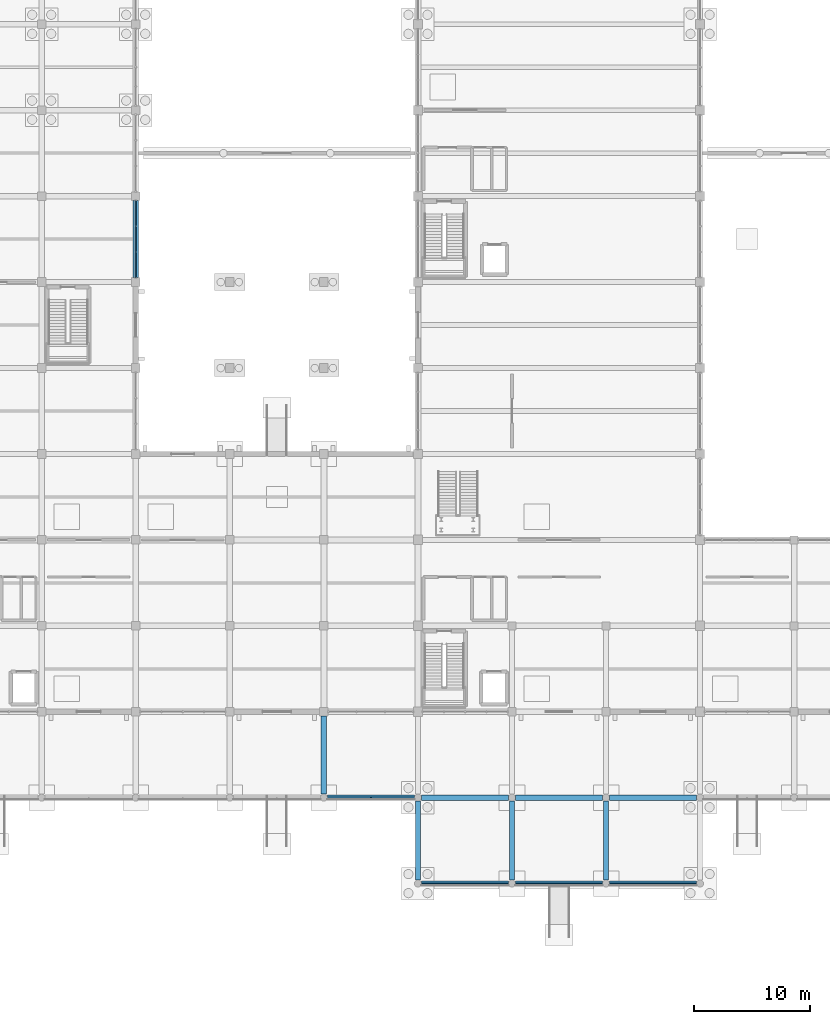
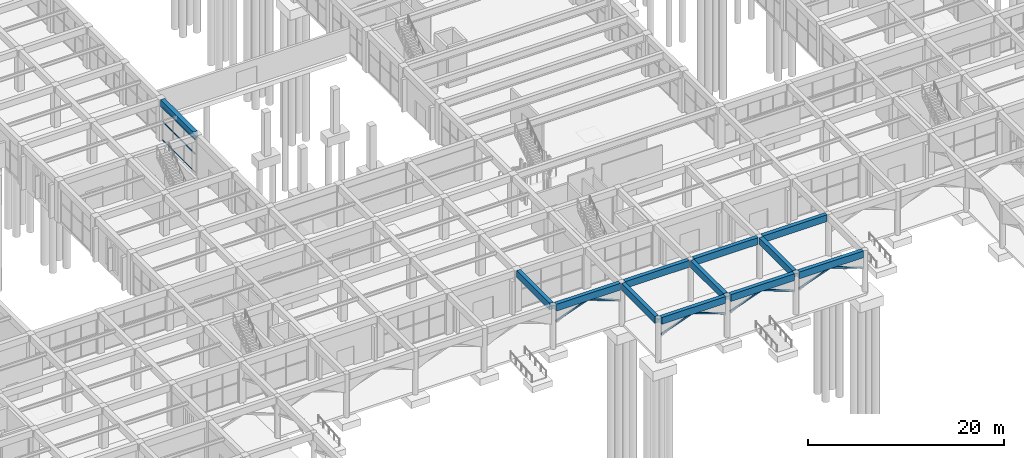
# One storey, part 27 of 140: 12 beams, 11 members, 1 element without a shape of its own.
"""IFC4 building model written with IfcOpenShell, lengths in metres."""

from ifc_helpers import new_model, si_unit, direction, frame, origin, origin_2d, place, context, subcontext, project, spatial, rectangle, hollow_rectangle, extrude, material, material_profile, profile_set, type_object, element, aggregate, save


model = new_model("IFC4")

# Units and contexts
model_context = context("Model", 3, precision=1e-05, world=origin(), true_north=direction((0.0, 1.0)))
body_context = subcontext(model_context, "Body", "Model", "MODEL_VIEW")
ifc_project = project(units=[si_unit("LENGTHUNIT", "METRE"), si_unit("AREAUNIT", "SQUARE_METRE"), si_unit("VOLUMEUNIT", "CUBIC_METRE"), si_unit("PLANEANGLEUNIT", "RADIAN"), si_unit("MASSUNIT", "GRAM", prefix="KILO")], contexts=[model_context])

# Site, building, storey
site_placement = place(None, origin())
site = spatial("IfcSite", under=ifc_project, at=site_placement, CompositionType="ELEMENT")
building_placement = place(site_placement, origin())
building = spatial("IfcBuilding", under=site, at=building_placement, Name="Cimatlan Art Gallery", CompositionType="ELEMENT")
storey_placement = place(building_placement, origin())
storey = spatial("IfcBuildingStorey", under=building, at=storey_placement, Name="L00", CompositionType="ELEMENT", Elevation=0.0)

# Beams
ifc_material_1 = material(Name="Concrete C40/50", Category="concrete")
ifc_material_profile_1 = material_profile(ifc_material_1, rectangle(XDim=0.449951171875, YDim=0.85009765625, at=origin_2d()), Name="RC450X850")
ifc_profile_set_1 = profile_set([ifc_material_profile_1], Name="Concrete C40/50")
beam_type_1 = type_object("IfcBeamType", Name="BM-ARC-450X850", PredefinedType="SPANDREL", material=ifc_profile_set_1)
beam_1_placement = place(storey_placement, frame((67.10009765625, 16.5, 4.735107421875), z_axis=(1.0, 0.0, 0.0), x_axis=(0.0, 1.0, 0.0)))
element("IfcBeam", 1, at=beam_1_placement, inside=storey, type_object=beam_type_1, Name="BM-ARC-X-08-02", PredefinedType="SPANDREL", context=body_context, shape_type="SweptSolid", body=[
    extrude(rectangle(XDim=0.449951171875, YDim=0.85009765625, at=origin_2d()), origin(), (0.0, 0.0, 1.0), 7.5),
])
beam_2_placement = place(storey_placement, frame((66.800048828125, 16.800048828125, 4.735107421875), z_axis=(0.0, 1.0, 0.0), x_axis=(-1.0, 0.0, 0.0)))
element("IfcBeam", 2, at=beam_2_placement, inside=storey, type_object=beam_type_1, Name="BM-ARC-Y-08-02", PredefinedType="SPANDREL", context=body_context, shape_type="SweptSolid", body=[
    extrude(rectangle(XDim=0.449951171875, YDim=0.85009765625, at=origin_2d()), origin(), (0.0, 0.0, 1.0), 6.724853515625),
])
beam_3_placement = place(storey_placement, frame((75.199951171875, 9.10009765625, 4.735107421875), z_axis=(1.0, 0.0, 0.0), x_axis=(0.0, 1.0, 0.0)))
element("IfcBeam", 3, at=beam_3_placement, inside=storey, type_object=beam_type_1, Name="BM-ARC-X-09-01", PredefinedType="SPANDREL", context=body_context, shape_type="SweptSolid", body=[
    extrude(rectangle(XDim=0.449951171875, YDim=0.85009765625, at=origin_2d()), origin(), (0.0, 0.0, 1.0), 7.5),
])
beam_4_placement = place(storey_placement, frame((74.89990234375, 9.39990234375, 4.735107421875), z_axis=(0.0, 1.0, 0.0), x_axis=(-1.0, 0.0, 0.0)))
element("IfcBeam", 4, at=beam_4_placement, inside=storey, type_object=beam_type_1, Name="BM-ARC-Y-09-01", PredefinedType="SPANDREL", context=body_context, shape_type="SweptSolid", body=[
    extrude(rectangle(XDim=0.449951171875, YDim=0.85009765625, at=origin_2d()), origin(), (0.0, 0.0, 1.0), 6.800048828125),
])
for number, where, z_axis, x_axis, name in (
    (5, (75.199951171875, 16.5, 4.735107421875), (1.0, 0.0, 0.0), (0.0, 1.0, 0.0), "BM-ARC-X-09-02"),
    (6, (83.300048828125, 9.10009765625, 4.735107421875), (1.0, 0.0, 0.0), (0.0, 1.0, 0.0), "BM-ARC-X-10-01"),
):
    element("IfcBeam", number, at=place(storey_placement, frame(where, z_axis=z_axis, x_axis=x_axis)), inside=storey, type_object=beam_type_1, Name=name, PredefinedType="SPANDREL", context=body_context, shape_type="SweptSolid", body=[
        extrude(rectangle(XDim=0.449951171875, YDim=0.85009765625, at=origin_2d()), origin(), (0.0, 0.0, 1.0), 7.5),
    ])
beam_5_placement = place(storey_placement, frame((83.0, 9.39990234375, 4.735107421875), z_axis=(0.0, 1.0, 0.0), x_axis=(-1.0, 0.0, 0.0)))
element("IfcBeam", 7, at=beam_5_placement, inside=storey, type_object=beam_type_1, Name="BM-ARC-Y-10-01", PredefinedType="SPANDREL", context=body_context, shape_type="SweptSolid", body=[
    extrude(rectangle(XDim=0.449951171875, YDim=0.85009765625, at=origin_2d()), origin(), (0.0, 0.0, 1.0), 6.800048828125),
])
for number, where, z_axis, x_axis, name in (
    (8, (83.300048828125, 16.5, 4.735107421875), (1.0, 0.0, 0.0), (0.0, 1.0, 0.0), "BM-ARC-X-10-02"),
    (9, (91.39990234375, 9.10009765625, 4.735107421875), (1.0, 0.0, 0.0), (0.0, 1.0, 0.0), "BM-ARC-X-11-01"),
):
    element("IfcBeam", number, at=place(storey_placement, frame(where, z_axis=z_axis, x_axis=x_axis)), inside=storey, type_object=beam_type_1, Name=name, PredefinedType="SPANDREL", context=body_context, shape_type="SweptSolid", body=[
        extrude(rectangle(XDim=0.449951171875, YDim=0.85009765625, at=origin_2d()), origin(), (0.0, 0.0, 1.0), 7.5),
    ])
beam_6_placement = place(storey_placement, frame((91.10009765625, 9.39990234375, 4.735107421875), z_axis=(0.0, 1.0, 0.0), x_axis=(-1.0, 0.0, 0.0)))
element("IfcBeam", 10, at=beam_6_placement, inside=storey, type_object=beam_type_1, Name="BM-ARC-Y-11-01", PredefinedType="SPANDREL", context=body_context, shape_type="SweptSolid", body=[
    extrude(rectangle(XDim=0.449951171875, YDim=0.85009765625, at=origin_2d()), origin(), (0.0, 0.0, 1.0), 6.800048828125),
])
beam_7_placement = place(storey_placement, frame((91.39990234375, 16.5, 4.735107421875), z_axis=(1.0, 0.0, 0.0), x_axis=(0.0, 1.0, 0.0)))
element("IfcBeam", 11, at=beam_7_placement, inside=storey, type_object=beam_type_1, Name="BM-ARC-X-11-02", PredefinedType="SPANDREL", context=body_context, shape_type="SweptSolid", body=[
    extrude(rectangle(XDim=0.449951171875, YDim=0.85009765625, at=origin_2d()), origin(), (0.0, 0.0, 1.0), 7.5),
])
ifc_material_profile_2 = material_profile(ifc_material_1, rectangle(XDim=0.5, YDim=0.85009765625, at=origin_2d()), Name="RC500X850")
ifc_profile_set_2 = profile_set([ifc_material_profile_2], Name="Concrete C40/50")
beam_type_2 = type_object("IfcBeamType", Name="BM-RC-500X850", PredefinedType="BEAM", material=ifc_profile_set_2)
beam_8_placement = place(storey_placement, frame((50.60009765625, 61.27490234375, 4.7099609375), z_axis=(0.0, 1.0, 0.0), x_axis=(-1.0, 0.0, 0.0)))
element("IfcBeam", 12, at=beam_8_placement, inside=storey, type_object=beam_type_2, Name="BM-Y-L00-06-08", PredefinedType="BEAM", context=body_context, shape_type="SweptSolid", body=[
    extrude(rectangle(XDim=0.5, YDim=0.85009765625, at=origin_2d()), origin(), (0.0, 0.0, 1.0), 6.650146484375),
])

# Curtain wall, members
ifc_material_2 = material(Name="Anodised bronze unitised curtain wall")
curtain_wall_type = type_object("IfcCurtainWallType", Name="CW-V-06642X04195-B3", PredefinedType="NOTDEFINED", material=ifc_material_2)
curtain_wall_placement = place(storey_placement, origin())
curtain_wall = element("IfcCurtainWall", 13, at=curtain_wall_placement, inside=storey, type_object=curtain_wall_type, Name="CW-L00-05-08-E", PredefinedType="NOTDEFINED")
ifc_material_3 = material(Name="Anodised bronze aluminium 6063-T6", Category="aluminium")
ifc_material_profile_3 = material_profile(ifc_material_3, hollow_rectangle(XDim=0.06494140625, YDim=0.139892578125, WallThickness=0.00390625, at=origin_2d()), Name="ALU65X140X4")
ifc_profile_set_3 = profile_set([ifc_material_profile_3], Name="Anodised bronze aluminium 6063-T6")
member_type_1 = type_object("IfcMemberType", Name="CW-TRN-140", PredefinedType="USERDEFINED", material=ifc_profile_set_3)
member_1_placement = place(storey_placement, frame((50.60009765625, 67.9208984375, 0.06005859375), z_axis=(0.0, -1.0, 0.0), x_axis=(1.0, 0.0, 0.0)))
member_1 = element("IfcMember", 14, at=member_1_placement, type_object=member_type_1, Name="CW-L00-05-08-E-T1", ObjectType="TRANSOM", PredefinedType="USERDEFINED", context=body_context, shape_type="SweptSolid", body=[
    extrude(hollow_rectangle(XDim=0.06494140625, YDim=0.139892578125, WallThickness=0.00390625, at=origin_2d()), origin(), (0.0, 0.0, 1.0), 6.641845703125),
])
member_2_placement = place(storey_placement, frame((50.60009765625, 67.9208984375, 2.34912109375), z_axis=(0.0, -1.0, 0.0), x_axis=(1.0, 0.0, 0.0)))
member_2 = element("IfcMember", 15, at=member_2_placement, type_object=member_type_1, Name="CW-L00-05-08-E-T2", ObjectType="TRANSOM", PredefinedType="USERDEFINED", context=body_context, shape_type="SweptSolid", body=[
    extrude(hollow_rectangle(XDim=0.06494140625, YDim=0.139892578125, WallThickness=0.00390625, at=origin_2d()), origin(), (0.0, 0.0, 1.0), 6.641845703125),
])
member_3_placement = place(storey_placement, frame((50.60009765625, 67.9208984375, 4.135009765625), z_axis=(0.0, -1.0, 0.0), x_axis=(1.0, 0.0, 0.0)))
member_3 = element("IfcMember", 16, at=member_3_placement, type_object=member_type_1, Name="CW-L00-05-08-E-T3", ObjectType="TRANSOM", PredefinedType="USERDEFINED", context=body_context, shape_type="SweptSolid", body=[
    extrude(hollow_rectangle(XDim=0.06494140625, YDim=0.139892578125, WallThickness=0.00390625, at=origin_2d()), origin(), (0.0, 0.0, 1.0), 6.641845703125),
])
aggregate(curtain_wall, [member_1, member_2, member_3])

# Members
ifc_material_4 = material(Name="Steel ASTM A500 Grade C", Category="steel")
ifc_material_profile_4 = material_profile(ifc_material_4, hollow_rectangle(XDim=0.10009765625, YDim=0.199951171875, WallThickness=0.008056640625, at=origin_2d()), Name="HSS200X100X8")
ifc_profile_set_4 = profile_set([ifc_material_profile_4], Name="Steel ASTM A500 Grade C")
member_type_2 = type_object("IfcMemberType", Name="MBR-GOTH-RIB", PredefinedType="RAFTER", material=ifc_profile_set_4)
for number, where, z_axis, x_axis, name in (
    (17, (67.10009765625, 16.5, 2.949951171875), (0.940077223302, 0.0, 0.34096160228), (0.0, 1.0, 0.0), "RIB-ARC-X-09L"),
    (18, (74.60009765625, 16.5, 2.949951171875), (-0.940077223302, 0.0, 0.34096160228), (0.0, -1.0, 0.0), "RIB-ARC-X-09R"),
    (19, (75.199951171875, 9.10009765625, 2.949951171875), (0.940077223302, 0.0, 0.34096160228), (0.0, 1.0, 0.0), "RIB-ARC-X-10L"),
    (20, (82.699951171875, 9.10009765625, 2.949951171875), (-0.940077223302, 0.0, 0.34096160228), (0.0, -1.0, 0.0), "RIB-ARC-X-10R"),
    (21, (83.300048828125, 9.10009765625, 2.949951171875), (0.940077223302, 0.0, 0.34096160228), (0.0, 1.0, 0.0), "RIB-ARC-X-11L"),
    (22, (90.800048828125, 9.10009765625, 2.949951171875), (-0.940077223302, 0.0, 0.34096160228), (0.0, -1.0, 0.0), "RIB-ARC-X-11R"),
    (23, (91.39990234375, 9.10009765625, 2.949951171875), (0.940077223302, 0.0, 0.34096160228), (0.0, 1.0, 0.0), "RIB-ARC-X-12L"),
    (24, (98.89990234375, 9.10009765625, 2.949951171875), (-0.940077223302, 0.0, 0.34096160228), (0.0, -1.0, 0.0), "RIB-ARC-X-12R"),
):
    element("IfcMember", number, at=place(storey_placement, frame(where, z_axis=z_axis, x_axis=x_axis)), inside=storey, type_object=member_type_2, Name=name, PredefinedType="RAFTER", context=body_context, shape_type="SweptSolid", body=[
        extrude(hollow_rectangle(XDim=0.10009765625, YDim=0.199951171875, WallThickness=0.008056640625, at=origin_2d()), origin(), (0.0, 0.0, 1.0), 3.989013671875),
    ])

save(model, "model.ifc")
